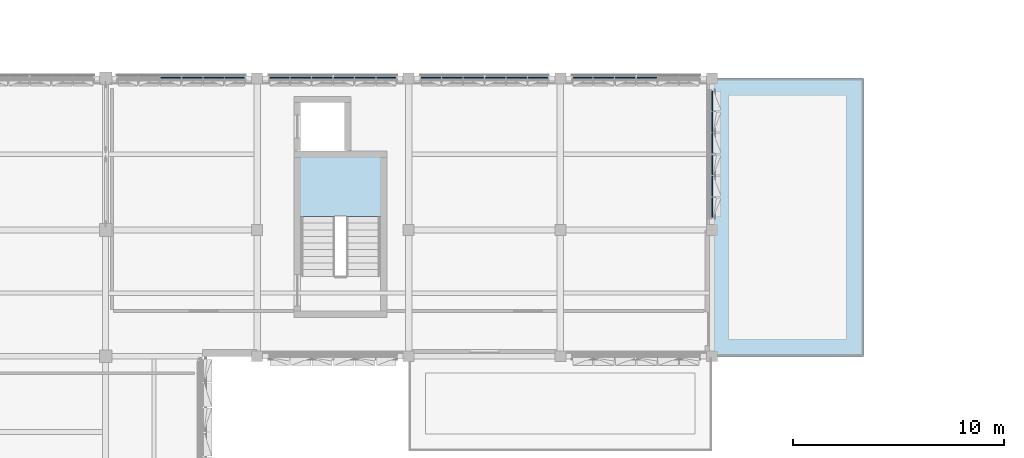
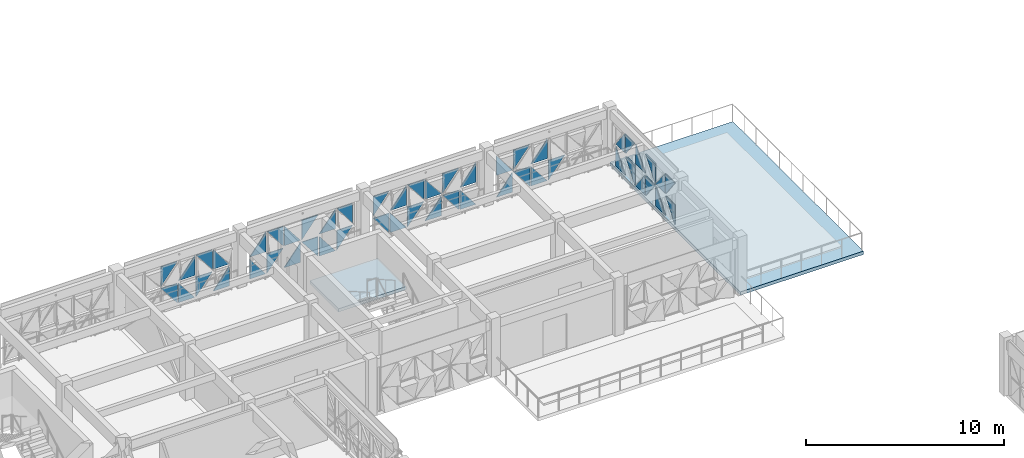
# One storey, part 29 of 74: 51 plates, 2 slabs, 6 elements without a shape of their own.
"""IFC4 building model written with IfcOpenShell, lengths in metres."""

from ifc_helpers import new_model, si_unit, direction, frame, origin, place, context, subcontext, project, spatial, polyline, outline, extrude, material, layer, layer_set, type_object, element, aggregate, save


model = new_model("IFC4")

# Units and contexts
model_context = context("Model", 3, precision=1e-05, world=origin(), true_north=direction((0.0, 1.0)))
body_context = subcontext(model_context, "Body", "Model", "MODEL_VIEW")
ifc_project = project(units=[si_unit("LENGTHUNIT", "METRE"), si_unit("AREAUNIT", "SQUARE_METRE"), si_unit("VOLUMEUNIT", "CUBIC_METRE"), si_unit("PLANEANGLEUNIT", "RADIAN"), si_unit("MASSUNIT", "GRAM", prefix="KILO")], contexts=[model_context])

# Site, building, storey
site_placement = place(None, origin())
site = spatial("IfcSite", under=ifc_project, at=site_placement, CompositionType="ELEMENT")
building_placement = place(site_placement, origin())
building = spatial("IfcBuilding", under=site, at=building_placement, Name="Alvorim Cloister Faculty of Sciences", CompositionType="ELEMENT")
storey_placement = place(building_placement, frame((0.0, 0.0, 15.75)))
storey = spatial("IfcBuildingStorey", under=building, at=storey_placement, Name="L04", CompositionType="ELEMENT", Elevation=15.75)

# Curtain wall, plates
ifc_material_1 = material(Name="Aluminium and Low-E Glass Curtain Wall", Category="aluminium")
curtain_wall_type = type_object("IfcCurtainWallType", Name="CW-TRI-6120x2850", PredefinedType="USERDEFINED", material=ifc_material_1)
curtain_wall_1_placement = place(storey_placement, origin())
curtain_wall_1 = element("IfcCurtainWall", 1, at=curtain_wall_1_placement, inside=storey, type_object=curtain_wall_type, Name="L04 Diagonal Cassette Curtain Wall CW-0190", ObjectType="UNITISED CURTAIN WALL", PredefinedType="USERDEFINED")
ifc_material_2 = material(Name="Double Low-E Laminated Glass", Category="glass")
ifc_layer_1 = layer(ifc_material_2, 0.0400390625)
ifc_layer_set_1 = layer_set([ifc_layer_1], Name="Double Low-E Laminated Glass")
plate_type = type_object("IfcPlateType", Name="PN-GLZ-40", PredefinedType="CURTAIN_PANEL", material=ifc_layer_set_1)
plate_1_placement = place(storey_placement, frame((31.41259765625, 56.425048828125, 0.139892578125), z_axis=(0.0, 0.0, 1.0), x_axis=(1.0, 0.0, 0.0)))
plate_1 = element("IfcPlate", 2, at=plate_1_placement, type_object=plate_type, Name="Diagonal Glazed Triangle TRI-TR", PredefinedType="CURTAIN_PANEL", context=body_context, shape_type="SweptSolid", body=[
    extrude(outline(polyline([(0.955078125, 0.001953125), (0.955078125, 1.215087890625), (0.001953125, 1.215087890625), (0.955078125, 0.001953125)])), frame((0.0, 0.02490234375, 0.0), z_axis=(0.0, -1.0, 0.0), x_axis=(1.0, 0.0, 0.0)), (0.0, 0.0, 1.0), 0.050048828125),
])
plate_2_placement = place(storey_placement, frame((31.41259765625, 56.425048828125, 1.4951171875), z_axis=(0.0, 0.0, 1.0), x_axis=(1.0, 0.0, 0.0)))
plate_2 = element("IfcPlate", 3, at=plate_2_placement, type_object=plate_type, Name="Diagonal Glazed Triangle TRI-TL", PredefinedType="CURTAIN_PANEL", context=body_context, shape_type="SweptSolid", body=[
    extrude(outline(polyline([(0.953125, 1.21484375), (0.0, 1.21484375), (0.0, 0.001953125), (0.953125, 1.21484375)])), frame((0.0, 0.02490234375, 0.0), z_axis=(0.0, -1.0, 0.0), x_axis=(1.0, 0.0, 0.0)), (0.0, 0.0, 1.0), 0.050048828125),
])
plate_3_placement = place(storey_placement, frame((32.4326171875, 56.425048828125, 0.139892578125), z_axis=(0.0, 0.0, 1.0), x_axis=(1.0, 0.0, 0.0)))
plate_3 = element("IfcPlate", 4, at=plate_3_placement, type_object=plate_type, Name="Diagonal Glazed Triangle TRI-BL", PredefinedType="CURTAIN_PANEL", context=body_context, shape_type="SweptSolid", body=[
    extrude(outline(polyline([(0.0, 0.0), (0.953125, 0.0), (0.0, 1.213134765625), (0.0, 0.0)])), frame((0.0, 0.02490234375, 0.0), z_axis=(0.0, -1.0, 0.0), x_axis=(1.0, 0.0, 0.0)), (0.0, 0.0, 1.0), 0.050048828125),
])
plate_4_placement = place(storey_placement, frame((32.4326171875, 56.425048828125, 1.4951171875), z_axis=(0.0, 0.0, 1.0), x_axis=(1.0, 0.0, 0.0)))
plate_4 = element("IfcPlate", 5, at=plate_4_placement, type_object=plate_type, Name="Diagonal Glazed Triangle TRI-BR", PredefinedType="CURTAIN_PANEL", context=body_context, shape_type="SweptSolid", body=[
    extrude(outline(polyline([(0.001953125, 0.0), (0.955078125, 0.0), (0.955078125, 1.212890625), (0.001953125, 0.0)])), frame((0.0, 0.02490234375, 0.0), z_axis=(0.0, -1.0, 0.0), x_axis=(1.0, 0.0, 0.0)), (0.0, 0.0, 1.0), 0.050048828125),
])
plate_5_placement = place(storey_placement, frame((33.452392578125, 56.425048828125, 0.139892578125), z_axis=(0.0, 0.0, 1.0), x_axis=(1.0, 0.0, 0.0)))
plate_5 = element("IfcPlate", 6, at=plate_5_placement, type_object=plate_type, Name="Diagonal Glazed Triangle TRI-TL", PredefinedType="CURTAIN_PANEL", context=body_context, shape_type="SweptSolid", body=[
    extrude(outline(polyline([(0.953125, 1.215087890625), (0.0, 1.215087890625), (0.0, 0.001953125), (0.953125, 1.215087890625)])), frame((0.0, 0.02490234375, 0.0), z_axis=(0.0, -1.0, 0.0), x_axis=(1.0, 0.0, 0.0)), (0.0, 0.0, 1.0), 0.050048828125),
])
plate_6_placement = place(storey_placement, frame((33.452392578125, 56.425048828125, 1.4951171875), z_axis=(0.0, 0.0, 1.0), x_axis=(1.0, 0.0, 0.0)))
plate_6 = element("IfcPlate", 7, at=plate_6_placement, type_object=plate_type, Name="Diagonal Glazed Triangle TRI-TR", PredefinedType="CURTAIN_PANEL", context=body_context, shape_type="SweptSolid", body=[
    extrude(outline(polyline([(0.955078125, 0.001953125), (0.955078125, 1.21484375), (0.001953125, 1.21484375), (0.955078125, 0.001953125)])), frame((0.0, 0.02490234375, 0.0), z_axis=(0.0, -1.0, 0.0), x_axis=(1.0, 0.0, 0.0)), (0.0, 0.0, 1.0), 0.050048828125),
])
plate_7_placement = place(storey_placement, frame((34.472412109375, 56.425048828125, 0.139892578125), z_axis=(0.0, 0.0, 1.0), x_axis=(1.0, 0.0, 0.0)))
plate_7 = element("IfcPlate", 8, at=plate_7_placement, type_object=plate_type, Name="Diagonal Glazed Triangle TRI-BR", PredefinedType="CURTAIN_PANEL", context=body_context, shape_type="SweptSolid", body=[
    extrude(outline(polyline([(0.001953125, 0.0), (0.922607421875, 0.0), (0.922607421875, 1.213134765625), (0.001953125, 0.0)])), frame((0.0, 0.02490234375, 0.0), z_axis=(0.0, -1.0, 0.0), x_axis=(1.0, 0.0, 0.0)), (0.0, 0.0, 1.0), 0.050048828125),
])
plate_8_placement = place(storey_placement, frame((34.472412109375, 56.425048828125, 1.4951171875), z_axis=(0.0, 0.0, 1.0), x_axis=(1.0, 0.0, 0.0)))
plate_8 = element("IfcPlate", 9, at=plate_8_placement, type_object=plate_type, Name="Diagonal Glazed Triangle TRI-BL", PredefinedType="CURTAIN_PANEL", context=body_context, shape_type="SweptSolid", body=[
    extrude(outline(polyline([(0.0, 0.0), (0.920654296875, 0.0), (0.0, 1.212890625), (0.0, 0.0)])), frame((0.0, 0.02490234375, 0.0), z_axis=(0.0, -1.0, 0.0), x_axis=(1.0, 0.0, 0.0)), (0.0, 0.0, 1.0), 0.050048828125),
])
aggregate(curtain_wall_1, [plate_1, plate_2, plate_3, plate_4, plate_5, plate_6, plate_7, plate_8])

curtain_wall_2_placement = place(storey_placement, origin())
curtain_wall_2 = element("IfcCurtainWall", 10, at=curtain_wall_2_placement, inside=storey, type_object=curtain_wall_type, Name="L04 Diagonal Cassette Curtain Wall CW-0191", ObjectType="UNITISED CURTAIN WALL", PredefinedType="USERDEFINED")
plate_9_placement = place(storey_placement, frame((36.60498046875, 56.425048828125, 0.139892578125), z_axis=(0.0, 0.0, 1.0), x_axis=(1.0, 0.0, 0.0)))
plate_9 = element("IfcPlate", 11, at=plate_9_placement, type_object=plate_type, Name="Diagonal Glazed Triangle TRI-BL", PredefinedType="CURTAIN_PANEL", context=body_context, shape_type="SweptSolid", body=[
    extrude(outline(polyline([(0.0, 0.0), (0.920654296875, 0.0), (0.0, 1.213134765625), (0.0, 0.0)])), frame((0.0, 0.02490234375, 0.0), z_axis=(0.0, -1.0, 0.0), x_axis=(1.0, 0.0, 0.0)), (0.0, 0.0, 1.0), 0.050048828125),
])
plate_10_placement = place(storey_placement, frame((36.60498046875, 56.425048828125, 1.4951171875), z_axis=(0.0, 0.0, 1.0), x_axis=(1.0, 0.0, 0.0)))
plate_10 = element("IfcPlate", 12, at=plate_10_placement, type_object=plate_type, Name="Diagonal Glazed Triangle TRI-BR", PredefinedType="CURTAIN_PANEL", context=body_context, shape_type="SweptSolid", body=[
    extrude(outline(polyline([(0.001953125, 0.0), (0.922607421875, 0.0), (0.922607421875, 1.212890625), (0.001953125, 0.0)])), frame((0.0, 0.02490234375, 0.0), z_axis=(0.0, -1.0, 0.0), x_axis=(1.0, 0.0, 0.0)), (0.0, 0.0, 1.0), 0.050048828125),
])
plate_11_placement = place(storey_placement, frame((37.592529296875, 56.425048828125, 0.139892578125), z_axis=(0.0, 0.0, 1.0), x_axis=(1.0, 0.0, 0.0)))
plate_11 = element("IfcPlate", 13, at=plate_11_placement, type_object=plate_type, Name="Diagonal Glazed Triangle TRI-TL", PredefinedType="CURTAIN_PANEL", context=body_context, shape_type="SweptSolid", body=[
    extrude(outline(polyline([(0.953125, 1.215087890625), (0.0, 1.215087890625), (0.0, 0.001953125), (0.953125, 1.215087890625)])), frame((0.0, 0.02490234375, 0.0), z_axis=(0.0, -1.0, 0.0), x_axis=(1.0, 0.0, 0.0)), (0.0, 0.0, 1.0), 0.050048828125),
])
plate_12_placement = place(storey_placement, frame((37.592529296875, 56.425048828125, 1.4951171875), z_axis=(0.0, 0.0, 1.0), x_axis=(1.0, 0.0, 0.0)))
plate_12 = element("IfcPlate", 14, at=plate_12_placement, type_object=plate_type, Name="Diagonal Glazed Triangle TRI-TR", PredefinedType="CURTAIN_PANEL", context=body_context, shape_type="SweptSolid", body=[
    extrude(outline(polyline([(0.955078125, 0.001953125), (0.955078125, 1.21484375), (0.001953125, 1.21484375), (0.955078125, 0.001953125)])), frame((0.0, 0.02490234375, 0.0), z_axis=(0.0, -1.0, 0.0), x_axis=(1.0, 0.0, 0.0)), (0.0, 0.0, 1.0), 0.050048828125),
])
plate_13_placement = place(storey_placement, frame((38.612548828125, 56.425048828125, 0.139892578125), z_axis=(0.0, 0.0, 1.0), x_axis=(1.0, 0.0, 0.0)))
plate_13 = element("IfcPlate", 15, at=plate_13_placement, type_object=plate_type, Name="Diagonal Glazed Triangle TRI-BR", PredefinedType="CURTAIN_PANEL", context=body_context, shape_type="SweptSolid", body=[
    extrude(outline(polyline([(0.001953125, 0.0), (0.955078125, 0.0), (0.955078125, 1.213134765625), (0.001953125, 0.0)])), frame((0.0, 0.02490234375, 0.0), z_axis=(0.0, -1.0, 0.0), x_axis=(1.0, 0.0, 0.0)), (0.0, 0.0, 1.0), 0.050048828125),
])
plate_14_placement = place(storey_placement, frame((38.612548828125, 56.425048828125, 1.4951171875), z_axis=(0.0, 0.0, 1.0), x_axis=(1.0, 0.0, 0.0)))
plate_14 = element("IfcPlate", 16, at=plate_14_placement, type_object=plate_type, Name="Diagonal Glazed Triangle TRI-BL", PredefinedType="CURTAIN_PANEL", context=body_context, shape_type="SweptSolid", body=[
    extrude(outline(polyline([(0.0, 0.0), (0.953125, 0.0), (0.0, 1.212890625), (0.0, 0.0)])), frame((0.0, 0.02490234375, 0.0), z_axis=(0.0, -1.0, 0.0), x_axis=(1.0, 0.0, 0.0)), (0.0, 0.0, 1.0), 0.050048828125),
])
plate_15_placement = place(storey_placement, frame((39.632568359375, 56.425048828125, 0.139892578125), z_axis=(0.0, 0.0, 1.0), x_axis=(1.0, 0.0, 0.0)))
plate_15 = element("IfcPlate", 17, at=plate_15_placement, type_object=plate_type, Name="Diagonal Glazed Triangle TRI-TR", PredefinedType="CURTAIN_PANEL", context=body_context, shape_type="SweptSolid", body=[
    extrude(outline(polyline([(0.955078125, 0.001953125), (0.955078125, 1.215087890625), (0.001953125, 1.215087890625), (0.955078125, 0.001953125)])), frame((0.0, 0.02490234375, 0.0), z_axis=(0.0, -1.0, 0.0), x_axis=(1.0, 0.0, 0.0)), (0.0, 0.0, 1.0), 0.050048828125),
])
plate_16_placement = place(storey_placement, frame((39.632568359375, 56.425048828125, 1.4951171875), z_axis=(0.0, 0.0, 1.0), x_axis=(1.0, 0.0, 0.0)))
plate_16 = element("IfcPlate", 18, at=plate_16_placement, type_object=plate_type, Name="Diagonal Glazed Triangle TRI-TL", PredefinedType="CURTAIN_PANEL", context=body_context, shape_type="SweptSolid", body=[
    extrude(outline(polyline([(0.953125, 1.21484375), (0.0, 1.21484375), (0.0, 0.001953125), (0.953125, 1.21484375)])), frame((0.0, 0.02490234375, 0.0), z_axis=(0.0, -1.0, 0.0), x_axis=(1.0, 0.0, 0.0)), (0.0, 0.0, 1.0), 0.050048828125),
])
plate_17_placement = place(storey_placement, frame((40.652587890625, 56.425048828125, 0.139892578125), z_axis=(0.0, 0.0, 1.0), x_axis=(1.0, 0.0, 0.0)))
plate_17 = element("IfcPlate", 19, at=plate_17_placement, type_object=plate_type, Name="Diagonal Glazed Triangle TRI-BL", PredefinedType="CURTAIN_PANEL", context=body_context, shape_type="SweptSolid", body=[
    extrude(outline(polyline([(0.0, 0.0), (0.953125, 0.0), (0.0, 1.213134765625), (0.0, 0.0)])), frame((0.0, 0.02490234375, 0.0), z_axis=(0.0, -1.0, 0.0), x_axis=(1.0, 0.0, 0.0)), (0.0, 0.0, 1.0), 0.050048828125),
])
plate_18_placement = place(storey_placement, frame((40.652587890625, 56.425048828125, 1.4951171875), z_axis=(0.0, 0.0, 1.0), x_axis=(1.0, 0.0, 0.0)))
plate_18 = element("IfcPlate", 20, at=plate_18_placement, type_object=plate_type, Name="Diagonal Glazed Triangle TRI-BR", PredefinedType="CURTAIN_PANEL", context=body_context, shape_type="SweptSolid", body=[
    extrude(outline(polyline([(0.001953125, 0.0), (0.955078125, 0.0), (0.955078125, 1.212890625), (0.001953125, 0.0)])), frame((0.0, 0.02490234375, 0.0), z_axis=(0.0, -1.0, 0.0), x_axis=(1.0, 0.0, 0.0)), (0.0, 0.0, 1.0), 0.050048828125),
])
plate_19_placement = place(storey_placement, frame((41.672607421875, 56.425048828125, 0.139892578125), z_axis=(0.0, 0.0, 1.0), x_axis=(1.0, 0.0, 0.0)))
plate_19 = element("IfcPlate", 21, at=plate_19_placement, type_object=plate_type, Name="Diagonal Glazed Triangle TRI-TL", PredefinedType="CURTAIN_PANEL", context=body_context, shape_type="SweptSolid", body=[
    extrude(outline(polyline([(0.920654296875, 1.215087890625), (0.0, 1.215087890625), (0.0, 0.001953125), (0.920654296875, 1.215087890625)])), frame((0.0, 0.02490234375, 0.0), z_axis=(0.0, -1.0, 0.0), x_axis=(1.0, 0.0, 0.0)), (0.0, 0.0, 1.0), 0.050048828125),
])
plate_20_placement = place(storey_placement, frame((41.672607421875, 56.425048828125, 1.4951171875), z_axis=(0.0, 0.0, 1.0), x_axis=(1.0, 0.0, 0.0)))
plate_20 = element("IfcPlate", 22, at=plate_20_placement, type_object=plate_type, Name="Diagonal Glazed Triangle TRI-TR", PredefinedType="CURTAIN_PANEL", context=body_context, shape_type="SweptSolid", body=[
    extrude(outline(polyline([(0.922607421875, 0.001953125), (0.922607421875, 1.21484375), (0.001953125, 1.21484375), (0.922607421875, 0.001953125)])), frame((0.0, 0.02490234375, 0.0), z_axis=(0.0, -1.0, 0.0), x_axis=(1.0, 0.0, 0.0)), (0.0, 0.0, 1.0), 0.050048828125),
])
aggregate(curtain_wall_2, [plate_9, plate_10, plate_11, plate_12, plate_13, plate_14, plate_15, plate_16, plate_17, plate_18, plate_19, plate_20])

curtain_wall_3_placement = place(storey_placement, origin())
curtain_wall_3 = element("IfcCurtainWall", 23, at=curtain_wall_3_placement, inside=storey, type_object=curtain_wall_type, Name="L04 Diagonal Cassette Curtain Wall CW-0192", ObjectType="UNITISED CURTAIN WALL", PredefinedType="USERDEFINED")
plate_21_placement = place(storey_placement, frame((43.804931640625, 56.425048828125, 0.139892578125), z_axis=(0.0, 0.0, 1.0), x_axis=(1.0, 0.0, 0.0)))
plate_21 = element("IfcPlate", 24, at=plate_21_placement, type_object=plate_type, Name="Diagonal Glazed Triangle TRI-TR", PredefinedType="CURTAIN_PANEL", context=body_context, shape_type="SweptSolid", body=[
    extrude(outline(polyline([(0.922607421875, 0.001953125), (0.922607421875, 1.215087890625), (0.001953125, 1.215087890625), (0.922607421875, 0.001953125)])), frame((0.0, 0.02490234375, 0.0), z_axis=(0.0, -1.0, 0.0), x_axis=(1.0, 0.0, 0.0)), (0.0, 0.0, 1.0), 0.050048828125),
])
plate_22_placement = place(storey_placement, frame((43.804931640625, 56.425048828125, 1.4951171875), z_axis=(0.0, 0.0, 1.0), x_axis=(1.0, 0.0, 0.0)))
plate_22 = element("IfcPlate", 25, at=plate_22_placement, type_object=plate_type, Name="Diagonal Glazed Triangle TRI-TL", PredefinedType="CURTAIN_PANEL", context=body_context, shape_type="SweptSolid", body=[
    extrude(outline(polyline([(0.920654296875, 1.21484375), (0.0, 1.21484375), (0.0, 0.001953125), (0.920654296875, 1.21484375)])), frame((0.0, 0.02490234375, 0.0), z_axis=(0.0, -1.0, 0.0), x_axis=(1.0, 0.0, 0.0)), (0.0, 0.0, 1.0), 0.050048828125),
])
plate_23_placement = place(storey_placement, frame((44.79248046875, 56.425048828125, 0.139892578125), z_axis=(0.0, 0.0, 1.0), x_axis=(1.0, 0.0, 0.0)))
plate_23 = element("IfcPlate", 26, at=plate_23_placement, type_object=plate_type, Name="Diagonal Glazed Triangle TRI-BL", PredefinedType="CURTAIN_PANEL", context=body_context, shape_type="SweptSolid", body=[
    extrude(outline(polyline([(0.0, 0.0), (0.953125, 0.0), (0.0, 1.213134765625), (0.0, 0.0)])), frame((0.0, 0.02490234375, 0.0), z_axis=(0.0, -1.0, 0.0), x_axis=(1.0, 0.0, 0.0)), (0.0, 0.0, 1.0), 0.050048828125),
])
plate_24_placement = place(storey_placement, frame((44.79248046875, 56.425048828125, 1.4951171875), z_axis=(0.0, 0.0, 1.0), x_axis=(1.0, 0.0, 0.0)))
plate_24 = element("IfcPlate", 27, at=plate_24_placement, type_object=plate_type, Name="Diagonal Glazed Triangle TRI-BR", PredefinedType="CURTAIN_PANEL", context=body_context, shape_type="SweptSolid", body=[
    extrude(outline(polyline([(0.001953125, 0.0), (0.955078125, 0.0), (0.955078125, 1.212890625), (0.001953125, 0.0)])), frame((0.0, 0.02490234375, 0.0), z_axis=(0.0, -1.0, 0.0), x_axis=(1.0, 0.0, 0.0)), (0.0, 0.0, 1.0), 0.050048828125),
])
plate_25_placement = place(storey_placement, frame((45.8125, 56.425048828125, 0.139892578125), z_axis=(0.0, 0.0, 1.0), x_axis=(1.0, 0.0, 0.0)))
plate_25 = element("IfcPlate", 28, at=plate_25_placement, type_object=plate_type, Name="Diagonal Glazed Triangle TRI-TL", PredefinedType="CURTAIN_PANEL", context=body_context, shape_type="SweptSolid", body=[
    extrude(outline(polyline([(0.953125, 1.215087890625), (0.0, 1.215087890625), (0.0, 0.001953125), (0.953125, 1.215087890625)])), frame((0.0, 0.02490234375, 0.0), z_axis=(0.0, -1.0, 0.0), x_axis=(1.0, 0.0, 0.0)), (0.0, 0.0, 1.0), 0.050048828125),
])
plate_26_placement = place(storey_placement, frame((45.8125, 56.425048828125, 1.4951171875), z_axis=(0.0, 0.0, 1.0), x_axis=(1.0, 0.0, 0.0)))
plate_26 = element("IfcPlate", 29, at=plate_26_placement, type_object=plate_type, Name="Diagonal Glazed Triangle TRI-TR", PredefinedType="CURTAIN_PANEL", context=body_context, shape_type="SweptSolid", body=[
    extrude(outline(polyline([(0.955078125, 0.001953125), (0.955078125, 1.21484375), (0.001953125, 1.21484375), (0.955078125, 0.001953125)])), frame((0.0, 0.02490234375, 0.0), z_axis=(0.0, -1.0, 0.0), x_axis=(1.0, 0.0, 0.0)), (0.0, 0.0, 1.0), 0.050048828125),
])
plate_27_placement = place(storey_placement, frame((46.83251953125, 56.425048828125, 0.139892578125), z_axis=(0.0, 0.0, 1.0), x_axis=(1.0, 0.0, 0.0)))
plate_27 = element("IfcPlate", 30, at=plate_27_placement, type_object=plate_type, Name="Diagonal Glazed Triangle TRI-BR", PredefinedType="CURTAIN_PANEL", context=body_context, shape_type="SweptSolid", body=[
    extrude(outline(polyline([(0.001953125, 0.0), (0.955078125, 0.0), (0.955078125, 1.213134765625), (0.001953125, 0.0)])), frame((0.0, 0.02490234375, 0.0), z_axis=(0.0, -1.0, 0.0), x_axis=(1.0, 0.0, 0.0)), (0.0, 0.0, 1.0), 0.050048828125),
])
plate_28_placement = place(storey_placement, frame((46.83251953125, 56.425048828125, 1.4951171875), z_axis=(0.0, 0.0, 1.0), x_axis=(1.0, 0.0, 0.0)))
plate_28 = element("IfcPlate", 31, at=plate_28_placement, type_object=plate_type, Name="Diagonal Glazed Triangle TRI-BL", PredefinedType="CURTAIN_PANEL", context=body_context, shape_type="SweptSolid", body=[
    extrude(outline(polyline([(0.0, 0.0), (0.953125, 0.0), (0.0, 1.212890625), (0.0, 0.0)])), frame((0.0, 0.02490234375, 0.0), z_axis=(0.0, -1.0, 0.0), x_axis=(1.0, 0.0, 0.0)), (0.0, 0.0, 1.0), 0.050048828125),
])
plate_29_placement = place(storey_placement, frame((47.8525390625, 56.425048828125, 0.139892578125), z_axis=(0.0, 0.0, 1.0), x_axis=(1.0, 0.0, 0.0)))
plate_29 = element("IfcPlate", 32, at=plate_29_placement, type_object=plate_type, Name="Diagonal Glazed Triangle TRI-TR", PredefinedType="CURTAIN_PANEL", context=body_context, shape_type="SweptSolid", body=[
    extrude(outline(polyline([(0.955078125, 0.001953125), (0.955078125, 1.215087890625), (0.001953125, 1.215087890625), (0.955078125, 0.001953125)])), frame((0.0, 0.02490234375, 0.0), z_axis=(0.0, -1.0, 0.0), x_axis=(1.0, 0.0, 0.0)), (0.0, 0.0, 1.0), 0.050048828125),
])
plate_30_placement = place(storey_placement, frame((47.8525390625, 56.425048828125, 1.4951171875), z_axis=(0.0, 0.0, 1.0), x_axis=(1.0, 0.0, 0.0)))
plate_30 = element("IfcPlate", 33, at=plate_30_placement, type_object=plate_type, Name="Diagonal Glazed Triangle TRI-TL", PredefinedType="CURTAIN_PANEL", context=body_context, shape_type="SweptSolid", body=[
    extrude(outline(polyline([(0.953125, 1.21484375), (0.0, 1.21484375), (0.0, 0.001953125), (0.953125, 1.21484375)])), frame((0.0, 0.02490234375, 0.0), z_axis=(0.0, -1.0, 0.0), x_axis=(1.0, 0.0, 0.0)), (0.0, 0.0, 1.0), 0.050048828125),
])
plate_31_placement = place(storey_placement, frame((48.87255859375, 56.425048828125, 0.139892578125), z_axis=(0.0, 0.0, 1.0), x_axis=(1.0, 0.0, 0.0)))
plate_31 = element("IfcPlate", 34, at=plate_31_placement, type_object=plate_type, Name="Diagonal Glazed Triangle TRI-BL", PredefinedType="CURTAIN_PANEL", context=body_context, shape_type="SweptSolid", body=[
    extrude(outline(polyline([(0.0, 0.0), (0.920654296875, 0.0), (0.0, 1.213134765625), (0.0, 0.0)])), frame((0.0, 0.02490234375, 0.0), z_axis=(0.0, -1.0, 0.0), x_axis=(1.0, 0.0, 0.0)), (0.0, 0.0, 1.0), 0.050048828125),
])
plate_32_placement = place(storey_placement, frame((48.87255859375, 56.425048828125, 1.4951171875), z_axis=(0.0, 0.0, 1.0), x_axis=(1.0, 0.0, 0.0)))
plate_32 = element("IfcPlate", 35, at=plate_32_placement, type_object=plate_type, Name="Diagonal Glazed Triangle TRI-BR", PredefinedType="CURTAIN_PANEL", context=body_context, shape_type="SweptSolid", body=[
    extrude(outline(polyline([(0.001953125, 0.0), (0.922607421875, 0.0), (0.922607421875, 1.212890625), (0.001953125, 0.0)])), frame((0.0, 0.02490234375, 0.0), z_axis=(0.0, -1.0, 0.0), x_axis=(1.0, 0.0, 0.0)), (0.0, 0.0, 1.0), 0.050048828125),
])
aggregate(curtain_wall_3, [plate_21, plate_22, plate_23, plate_24, plate_25, plate_26, plate_27, plate_28, plate_29, plate_30, plate_31, plate_32])

curtain_wall_4_placement = place(storey_placement, origin())
curtain_wall_4 = element("IfcCurtainWall", 36, at=curtain_wall_4_placement, inside=storey, type_object=curtain_wall_type, Name="L04 Diagonal Cassette Curtain Wall CW-0193", ObjectType="UNITISED CURTAIN WALL", PredefinedType="USERDEFINED")
plate_33_placement = place(storey_placement, frame((51.0048828125, 56.425048828125, 0.139892578125), z_axis=(0.0, 0.0, 1.0), x_axis=(1.0, 0.0, 0.0)))
plate_33 = element("IfcPlate", 37, at=plate_33_placement, type_object=plate_type, Name="Diagonal Glazed Triangle TRI-BR", PredefinedType="CURTAIN_PANEL", context=body_context, shape_type="SweptSolid", body=[
    extrude(outline(polyline([(0.001953125, 0.0), (0.922607421875, 0.0), (0.922607421875, 1.213134765625), (0.001953125, 0.0)])), frame((0.0, 0.02490234375, 0.0), z_axis=(0.0, -1.0, 0.0), x_axis=(1.0, 0.0, 0.0)), (0.0, 0.0, 1.0), 0.050048828125),
])
plate_34_placement = place(storey_placement, frame((51.0048828125, 56.425048828125, 1.4951171875), z_axis=(0.0, 0.0, 1.0), x_axis=(1.0, 0.0, 0.0)))
plate_34 = element("IfcPlate", 38, at=plate_34_placement, type_object=plate_type, Name="Diagonal Glazed Triangle TRI-BL", PredefinedType="CURTAIN_PANEL", context=body_context, shape_type="SweptSolid", body=[
    extrude(outline(polyline([(0.0, 0.0), (0.920654296875, 0.0), (0.0, 1.212890625), (0.0, 0.0)])), frame((0.0, 0.02490234375, 0.0), z_axis=(0.0, -1.0, 0.0), x_axis=(1.0, 0.0, 0.0)), (0.0, 0.0, 1.0), 0.050048828125),
])
plate_35_placement = place(storey_placement, frame((51.992431640625, 56.425048828125, 0.139892578125), z_axis=(0.0, 0.0, 1.0), x_axis=(1.0, 0.0, 0.0)))
plate_35 = element("IfcPlate", 39, at=plate_35_placement, type_object=plate_type, Name="Diagonal Glazed Triangle TRI-TR", PredefinedType="CURTAIN_PANEL", context=body_context, shape_type="SweptSolid", body=[
    extrude(outline(polyline([(0.955078125, 0.001953125), (0.955078125, 1.215087890625), (0.001953125, 1.215087890625), (0.955078125, 0.001953125)])), frame((0.0, 0.02490234375, 0.0), z_axis=(0.0, -1.0, 0.0), x_axis=(1.0, 0.0, 0.0)), (0.0, 0.0, 1.0), 0.050048828125),
])
plate_36_placement = place(storey_placement, frame((51.992431640625, 56.425048828125, 1.4951171875), z_axis=(0.0, 0.0, 1.0), x_axis=(1.0, 0.0, 0.0)))
plate_36 = element("IfcPlate", 40, at=plate_36_placement, type_object=plate_type, Name="Diagonal Glazed Triangle TRI-TL", PredefinedType="CURTAIN_PANEL", context=body_context, shape_type="SweptSolid", body=[
    extrude(outline(polyline([(0.953125, 1.21484375), (0.0, 1.21484375), (0.0, 0.001953125), (0.953125, 1.21484375)])), frame((0.0, 0.02490234375, 0.0), z_axis=(0.0, -1.0, 0.0), x_axis=(1.0, 0.0, 0.0)), (0.0, 0.0, 1.0), 0.050048828125),
])
plate_37_placement = place(storey_placement, frame((53.012451171875, 56.425048828125, 0.139892578125), z_axis=(0.0, 0.0, 1.0), x_axis=(1.0, 0.0, 0.0)))
plate_37 = element("IfcPlate", 41, at=plate_37_placement, type_object=plate_type, Name="Diagonal Glazed Triangle TRI-BL", PredefinedType="CURTAIN_PANEL", context=body_context, shape_type="SweptSolid", body=[
    extrude(outline(polyline([(0.0, 0.0), (0.953125, 0.0), (0.0, 1.213134765625), (0.0, 0.0)])), frame((0.0, 0.02490234375, 0.0), z_axis=(0.0, -1.0, 0.0), x_axis=(1.0, 0.0, 0.0)), (0.0, 0.0, 1.0), 0.050048828125),
])
plate_38_placement = place(storey_placement, frame((53.012451171875, 56.425048828125, 1.4951171875), z_axis=(0.0, 0.0, 1.0), x_axis=(1.0, 0.0, 0.0)))
plate_38 = element("IfcPlate", 42, at=plate_38_placement, type_object=plate_type, Name="Diagonal Glazed Triangle TRI-BR", PredefinedType="CURTAIN_PANEL", context=body_context, shape_type="SweptSolid", body=[
    extrude(outline(polyline([(0.001953125, 0.0), (0.955078125, 0.0), (0.955078125, 1.212890625), (0.001953125, 0.0)])), frame((0.0, 0.02490234375, 0.0), z_axis=(0.0, -1.0, 0.0), x_axis=(1.0, 0.0, 0.0)), (0.0, 0.0, 1.0), 0.050048828125),
])
plate_39_placement = place(storey_placement, frame((54.032470703125, 56.425048828125, 0.139892578125), z_axis=(0.0, 0.0, 1.0), x_axis=(1.0, 0.0, 0.0)))
plate_39 = element("IfcPlate", 43, at=plate_39_placement, type_object=plate_type, Name="Diagonal Glazed Triangle TRI-TL", PredefinedType="CURTAIN_PANEL", context=body_context, shape_type="SweptSolid", body=[
    extrude(outline(polyline([(0.953125, 1.215087890625), (0.0, 1.215087890625), (0.0, 0.001953125), (0.953125, 1.215087890625)])), frame((0.0, 0.02490234375, 0.0), z_axis=(0.0, -1.0, 0.0), x_axis=(1.0, 0.0, 0.0)), (0.0, 0.0, 1.0), 0.050048828125),
])
aggregate(curtain_wall_4, [plate_33, plate_34, plate_35, plate_36, plate_37, plate_38, plate_39])

curtain_wall_5_placement = place(storey_placement, origin())
curtain_wall_5 = element("IfcCurtainWall", 44, at=curtain_wall_5_placement, inside=storey, type_object=curtain_wall_type, Name="L04 Diagonal Cassette Curtain Wall CW-0194", ObjectType="UNITISED CURTAIN WALL", PredefinedType="USERDEFINED")
plate_40_placement = place(storey_placement, frame((57.625, 49.804931640625, 0.139892578125), z_axis=(0.0, 0.0, 1.0), x_axis=(0.0, 1.0, 0.0)))
plate_40 = element("IfcPlate", 45, at=plate_40_placement, type_object=plate_type, Name="Diagonal Glazed Triangle TRI-TL", PredefinedType="CURTAIN_PANEL", context=body_context, shape_type="SweptSolid", body=[
    extrude(outline(polyline([(0.920654296875, 1.215087890625), (0.0, 1.215087890625), (0.0, 0.001953125), (0.920654296875, 1.215087890625)])), frame((0.0, 0.02490234375, 0.0), z_axis=(0.0, -1.0, 0.0), x_axis=(1.0, 0.0, 0.0)), (0.0, 0.0, 1.0), 0.050048828125),
])
plate_41_placement = place(storey_placement, frame((57.625, 49.804931640625, 1.4951171875), z_axis=(0.0, 0.0, 1.0), x_axis=(0.0, 1.0, 0.0)))
plate_41 = element("IfcPlate", 46, at=plate_41_placement, type_object=plate_type, Name="Diagonal Glazed Triangle TRI-TR", PredefinedType="CURTAIN_PANEL", context=body_context, shape_type="SweptSolid", body=[
    extrude(outline(polyline([(0.922607421875, 0.001953125), (0.922607421875, 1.21484375), (0.001953125, 1.21484375), (0.922607421875, 0.001953125)])), frame((0.0, 0.02490234375, 0.0), z_axis=(0.0, -1.0, 0.0), x_axis=(1.0, 0.0, 0.0)), (0.0, 0.0, 1.0), 0.050048828125),
])
plate_42_placement = place(storey_placement, frame((57.625, 50.79248046875, 0.139892578125), z_axis=(0.0, 0.0, 1.0), x_axis=(0.0, 1.0, 0.0)))
plate_42 = element("IfcPlate", 47, at=plate_42_placement, type_object=plate_type, Name="Diagonal Glazed Triangle TRI-BR", PredefinedType="CURTAIN_PANEL", context=body_context, shape_type="SweptSolid", body=[
    extrude(outline(polyline([(0.001953125, 0.0), (0.955078125, 0.0), (0.955078125, 1.213134765625), (0.001953125, 0.0)])), frame((0.0, 0.02490234375, 0.0), z_axis=(0.0, -1.0, 0.0), x_axis=(1.0, 0.0, 0.0)), (0.0, 0.0, 1.0), 0.050048828125),
])
plate_43_placement = place(storey_placement, frame((57.625, 50.79248046875, 1.4951171875), z_axis=(0.0, 0.0, 1.0), x_axis=(0.0, 1.0, 0.0)))
plate_43 = element("IfcPlate", 48, at=plate_43_placement, type_object=plate_type, Name="Diagonal Glazed Triangle TRI-BL", PredefinedType="CURTAIN_PANEL", context=body_context, shape_type="SweptSolid", body=[
    extrude(outline(polyline([(0.0, 0.0), (0.953125, 0.0), (0.0, 1.212890625), (0.0, 0.0)])), frame((0.0, 0.02490234375, 0.0), z_axis=(0.0, -1.0, 0.0), x_axis=(1.0, 0.0, 0.0)), (0.0, 0.0, 1.0), 0.050048828125),
])
plate_44_placement = place(storey_placement, frame((57.625, 51.8125, 0.139892578125), z_axis=(0.0, 0.0, 1.0), x_axis=(0.0, 1.0, 0.0)))
plate_44 = element("IfcPlate", 49, at=plate_44_placement, type_object=plate_type, Name="Diagonal Glazed Triangle TRI-TR", PredefinedType="CURTAIN_PANEL", context=body_context, shape_type="SweptSolid", body=[
    extrude(outline(polyline([(0.955078125, 0.001953125), (0.955078125, 1.215087890625), (0.001953125, 1.215087890625), (0.955078125, 0.001953125)])), frame((0.0, 0.02490234375, 0.0), z_axis=(0.0, -1.0, 0.0), x_axis=(1.0, 0.0, 0.0)), (0.0, 0.0, 1.0), 0.050048828125),
])
plate_45_placement = place(storey_placement, frame((57.625, 51.8125, 1.4951171875), z_axis=(0.0, 0.0, 1.0), x_axis=(0.0, 1.0, 0.0)))
plate_45 = element("IfcPlate", 50, at=plate_45_placement, type_object=plate_type, Name="Diagonal Glazed Triangle TRI-TL", PredefinedType="CURTAIN_PANEL", context=body_context, shape_type="SweptSolid", body=[
    extrude(outline(polyline([(0.953125, 1.21484375), (0.0, 1.21484375), (0.0, 0.001953125), (0.953125, 1.21484375)])), frame((0.0, 0.02490234375, 0.0), z_axis=(0.0, -1.0, 0.0), x_axis=(1.0, 0.0, 0.0)), (0.0, 0.0, 1.0), 0.050048828125),
])
plate_46_placement = place(storey_placement, frame((57.625, 52.83251953125, 0.139892578125), z_axis=(0.0, 0.0, 1.0), x_axis=(0.0, 1.0, 0.0)))
plate_46 = element("IfcPlate", 51, at=plate_46_placement, type_object=plate_type, Name="Diagonal Glazed Triangle TRI-BL", PredefinedType="CURTAIN_PANEL", context=body_context, shape_type="SweptSolid", body=[
    extrude(outline(polyline([(0.0, 0.0), (0.953125, 0.0), (0.0, 1.213134765625), (0.0, 0.0)])), frame((0.0, 0.02490234375, 0.0), z_axis=(0.0, -1.0, 0.0), x_axis=(1.0, 0.0, 0.0)), (0.0, 0.0, 1.0), 0.050048828125),
])
plate_47_placement = place(storey_placement, frame((57.625, 52.83251953125, 1.4951171875), z_axis=(0.0, 0.0, 1.0), x_axis=(0.0, 1.0, 0.0)))
plate_47 = element("IfcPlate", 52, at=plate_47_placement, type_object=plate_type, Name="Diagonal Glazed Triangle TRI-BR", PredefinedType="CURTAIN_PANEL", context=body_context, shape_type="SweptSolid", body=[
    extrude(outline(polyline([(0.001953125, 0.0), (0.955078125, 0.0), (0.955078125, 1.212890625), (0.001953125, 0.0)])), frame((0.0, 0.02490234375, 0.0), z_axis=(0.0, -1.0, 0.0), x_axis=(1.0, 0.0, 0.0)), (0.0, 0.0, 1.0), 0.050048828125),
])
plate_48_placement = place(storey_placement, frame((57.625, 53.8525390625, 0.139892578125), z_axis=(0.0, 0.0, 1.0), x_axis=(0.0, 1.0, 0.0)))
plate_48 = element("IfcPlate", 53, at=plate_48_placement, type_object=plate_type, Name="Diagonal Glazed Triangle TRI-TL", PredefinedType="CURTAIN_PANEL", context=body_context, shape_type="SweptSolid", body=[
    extrude(outline(polyline([(0.953125, 1.215087890625), (0.0, 1.215087890625), (0.0, 0.001953125), (0.953125, 1.215087890625)])), frame((0.0, 0.02490234375, 0.0), z_axis=(0.0, -1.0, 0.0), x_axis=(1.0, 0.0, 0.0)), (0.0, 0.0, 1.0), 0.050048828125),
])
plate_49_placement = place(storey_placement, frame((57.625, 53.8525390625, 1.4951171875), z_axis=(0.0, 0.0, 1.0), x_axis=(0.0, 1.0, 0.0)))
plate_49 = element("IfcPlate", 54, at=plate_49_placement, type_object=plate_type, Name="Diagonal Glazed Triangle TRI-TR", PredefinedType="CURTAIN_PANEL", context=body_context, shape_type="SweptSolid", body=[
    extrude(outline(polyline([(0.955078125, 0.001953125), (0.955078125, 1.21484375), (0.001953125, 1.21484375), (0.955078125, 0.001953125)])), frame((0.0, 0.02490234375, 0.0), z_axis=(0.0, -1.0, 0.0), x_axis=(1.0, 0.0, 0.0)), (0.0, 0.0, 1.0), 0.050048828125),
])
plate_50_placement = place(storey_placement, frame((57.625, 54.87255859375, 0.139892578125), z_axis=(0.0, 0.0, 1.0), x_axis=(0.0, 1.0, 0.0)))
plate_50 = element("IfcPlate", 55, at=plate_50_placement, type_object=plate_type, Name="Diagonal Glazed Triangle TRI-BR", PredefinedType="CURTAIN_PANEL", context=body_context, shape_type="SweptSolid", body=[
    extrude(outline(polyline([(0.001953125, 0.0), (0.922607421875, 0.0), (0.922607421875, 1.213134765625), (0.001953125, 0.0)])), frame((0.0, 0.02490234375, 0.0), z_axis=(0.0, -1.0, 0.0), x_axis=(1.0, 0.0, 0.0)), (0.0, 0.0, 1.0), 0.050048828125),
])
plate_51_placement = place(storey_placement, frame((57.625, 54.87255859375, 1.4951171875), z_axis=(0.0, 0.0, 1.0), x_axis=(0.0, 1.0, 0.0)))
plate_51 = element("IfcPlate", 56, at=plate_51_placement, type_object=plate_type, Name="Diagonal Glazed Triangle TRI-BL", PredefinedType="CURTAIN_PANEL", context=body_context, shape_type="SweptSolid", body=[
    extrude(outline(polyline([(0.0, 0.0), (0.920654296875, 0.0), (0.0, 1.212890625), (0.0, 0.0)])), frame((0.0, 0.02490234375, 0.0), z_axis=(0.0, -1.0, 0.0), x_axis=(1.0, 0.0, 0.0)), (0.0, 0.0, 1.0), 0.050048828125),
])
aggregate(curtain_wall_5, [plate_40, plate_41, plate_42, plate_43, plate_44, plate_45, plate_46, plate_47, plate_48, plate_49, plate_50, plate_51])

# Stair, slab
ifc_material_3 = material(Name="Concrete C40", Category="concrete")
stair_type = type_object("IfcStairType", Name="STR-ST-04-1600x3600", PredefinedType="HALF_TURN_STAIR", material=ifc_material_3)
stair_placement = place(storey_placement, origin())
stair = element("IfcStair", 57, at=stair_placement, inside=storey, type_object=stair_type, Name="L04 Enclosed Smoke-Proof Stair ST-04", PredefinedType="HALF_TURN_STAIR")
ifc_layer_2 = layer(ifc_material_3, 0.199951171875)
ifc_layer_set_2 = layer_set([ifc_layer_2], Name="Concrete C40")
slab_type_1 = type_object("IfcSlabType", Name="SL-LAND-200", PredefinedType="LANDING", material=ifc_layer_set_2)
slab_1_placement = place(storey_placement, frame((0.0, 0.0, 1.60009765625)))
slab_1 = element("IfcSlab", 58, at=slab_1_placement, type_object=slab_type_1, Name="ST-04 landing 1", PredefinedType="LANDING", context=body_context, shape_type="SweptSolid", body=[
    extrude(outline(polyline([(41.93994140625, 49.8349609375), (41.93994140625, 52.719970703125), (37.97998046875, 52.719970703125), (37.97998046875, 49.8349609375), (41.93994140625, 49.8349609375)])), origin(), (0.0, 0.0, 1.0), 0.199951171875),
])
aggregate(stair, [slab_1])

# Slab
ifc_material_4 = material(Name="Cross-Laminated Timber CLT C24", Category="wood")
ifc_layer_3 = layer(ifc_material_4, 0.2099609375)
ifc_layer_set_3 = layer_set([ifc_layer_3], Name="Cross-Laminated Timber CLT C24")
slab_type_2 = type_object("IfcSlabType", Name="SL-TER-210", PredefinedType="USERDEFINED", material=ifc_layer_set_3)
slab_2_placement = place(storey_placement, frame((0.0, 0.0, -0.2099609375)))
element("IfcSlab", 59, at=slab_2_placement, inside=storey, type_object=slab_type_2, Name="L04 East Laboratory Stepped Terrace", ObjectType="TERRACE DECK", PredefinedType="USERDEFINED", context=body_context, shape_type="SweptSolid", body=[
    extrude(outline(polyline([(64.800048828125, 56.39990234375), (64.800048828125, 43.199951171875), (57.614990234375, 43.199951171875), (57.614990234375, 56.39990234375), (64.800048828125, 56.39990234375)])), origin(), (0.0, 0.0, 1.0), 0.2099609375),
])

save(model, "model.ifc")
